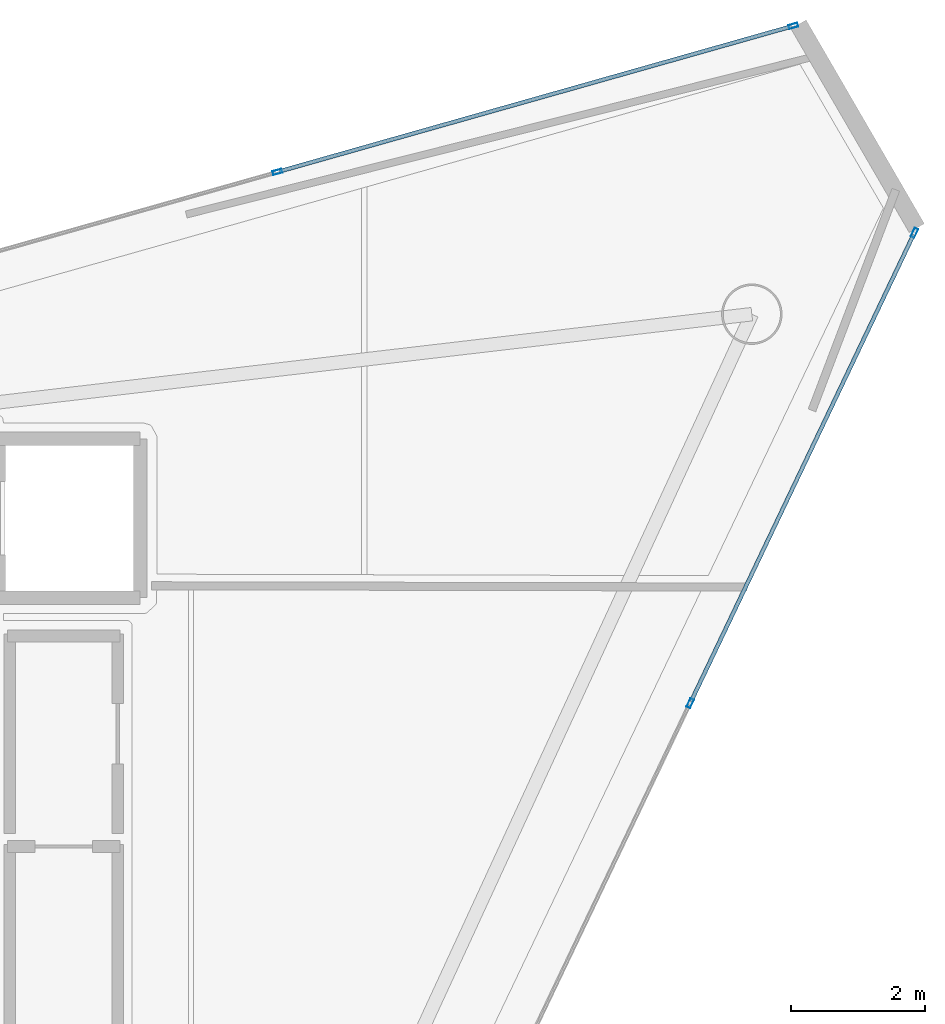
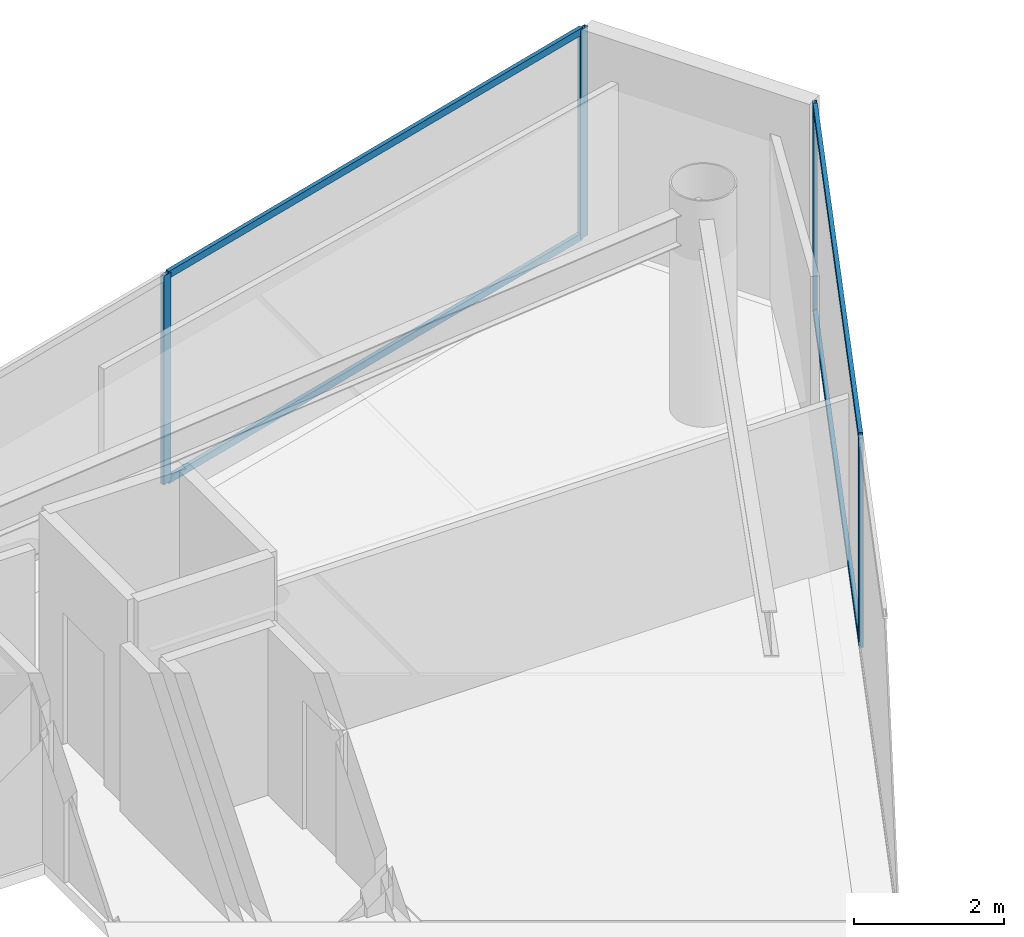
# One storey, part 15 of 20: 8 members, 2 elements without a shape of their own.
"""IFC4 building model written with IfcOpenShell, lengths in metres."""

from ifc_helpers import new_model, si_unit, direction, frame, origin, origin_2d, place, context, subcontext, project, spatial, hollow_rectangle, extrude, material, layer, layer_set, material_profile, profile_set, type_object, element, aggregate, save


model = new_model("IFC4")

# Units and contexts
model_context = context("Model", 3, precision=1e-05, world=origin(), true_north=direction((0.0, 1.0)))
body_context = subcontext(model_context, "Body", "Model", "MODEL_VIEW")
ifc_project = project(units=[si_unit("LENGTHUNIT", "METRE"), si_unit("AREAUNIT", "SQUARE_METRE"), si_unit("VOLUMEUNIT", "CUBIC_METRE"), si_unit("PLANEANGLEUNIT", "RADIAN"), si_unit("MASSUNIT", "GRAM", prefix="KILO")], contexts=[model_context])

# Site, building, storey
site_placement = place(None, origin())
site = spatial("IfcSite", under=ifc_project, at=site_placement, CompositionType="ELEMENT")
building_placement = place(site_placement, origin())
building = spatial("IfcBuilding", under=site, at=building_placement, Name="Qianvela Tower", CompositionType="ELEMENT")
storey_placement = place(building_placement, frame((0.0, 0.0, 317.60009765625)))
storey = spatial("IfcBuildingStorey", under=building, at=storey_placement, Name="L82", CompositionType="ELEMENT", Elevation=317.60009765625)

# Curtain wall, members
ifc_material_1 = material(Name="Anodised Architectural Aluminium and Low-E Glass", Category="aluminium")
ifc_layer = layer(ifc_material_1, 0.14990234375)
ifc_layer_set = layer_set([ifc_layer], Name="Anodised Architectural Aluminium and Low-E Glass")
curtain_wall_type = type_object("IfcCurtainWallType", Name="CW-COLIV-Z78", PredefinedType="USERDEFINED", material=ifc_layer_set)
curtain_wall_1_placement = place(storey_placement, origin())
curtain_wall_1 = element("IfcCurtainWall", 1, at=curtain_wall_1_placement, inside=storey, type_object=curtain_wall_type, Name="L82 CW-COLIV-Z78 Curtain Wall 02A", ObjectType="CURTAIN_WALL_SYSTEM", PredefinedType="USERDEFINED")
ifc_material_2 = material(Name="Anodised Architectural Aluminium 6063-T6", Category="aluminium")
ifc_material_profile_1 = material_profile(ifc_material_2, hollow_rectangle(XDim=0.06005859375, YDim=0.139892578125, WallThickness=0.00439453125, at=origin_2d()), Name="ALU-MULL-60x140")
ifc_profile_set_1 = profile_set([ifc_material_profile_1], Name="Anodised Architectural Aluminium 6063-T6")
member_type_1 = type_object("IfcMemberType", Name="CW-COLIV-Z78-MULL", PredefinedType="MULLION", material=ifc_profile_set_1)
member_1_placement = place(storey_placement, frame((53.265625, 41.423095703125, 0.0), z_axis=(0.0, 0.0, 1.0), x_axis=(0.272398078833, -0.9621846427, 0.0)))
member_1 = element("IfcMember", 2, at=member_1_placement, type_object=member_type_1, Name="CW-6 mullion 1", PredefinedType="MULLION", context=body_context, shape_type="SweptSolid", body=[
    extrude(hollow_rectangle(XDim=0.06005859375, YDim=0.139892578125, WallThickness=0.00439453125, at=origin_2d()), origin(), (0.0, 0.0, 1.0), 3.39990234375),
])
member_2_placement = place(storey_placement, frame((45.59228515625, 39.250732421875, 0.0), z_axis=(0.0, 0.0, 1.0), x_axis=(0.272398078833, -0.9621846427, 0.0)))
member_2 = element("IfcMember", 3, at=member_2_placement, type_object=member_type_1, Name="CW-6 mullion 2", PredefinedType="MULLION", context=body_context, shape_type="SweptSolid", body=[
    extrude(hollow_rectangle(XDim=0.06005859375, YDim=0.139892578125, WallThickness=0.00439453125, at=origin_2d()), origin(), (0.0, 0.0, 1.0), 3.39990234375),
])

curtain_wall_2_placement = place(storey_placement, origin())
curtain_wall_2 = element("IfcCurtainWall", 4, at=curtain_wall_2_placement, inside=storey, type_object=curtain_wall_type, Name="L82 CW-COLIV-Z78 Curtain Wall 06C", ObjectType="CURTAIN_WALL_SYSTEM", PredefinedType="USERDEFINED")
member_3_placement = place(storey_placement, frame((51.73193359375, 31.348876953125, 0.0), z_axis=(0.0, 0.0, 1.0), x_axis=(-0.902682118806, 0.430308020363, 0.0)))
member_3 = element("IfcMember", 5, at=member_3_placement, type_object=member_type_1, Name="CW-6 mullion 2", PredefinedType="MULLION", context=body_context, shape_type="SweptSolid", body=[
    extrude(hollow_rectangle(XDim=0.06005859375, YDim=0.139892578125, WallThickness=0.00439453125, at=origin_2d()), origin(), (0.0, 0.0, 1.0), 3.39990234375),
])
member_4_placement = place(storey_placement, frame((55.06640625, 38.34423828125, 0.0), z_axis=(0.0, 0.0, 1.0), x_axis=(-0.902682118806, 0.430308020363, 0.0)))
member_4 = element("IfcMember", 6, at=member_4_placement, type_object=member_type_1, Name="CW-6 mullion 3", PredefinedType="MULLION", context=body_context, shape_type="SweptSolid", body=[
    extrude(hollow_rectangle(XDim=0.06005859375, YDim=0.139892578125, WallThickness=0.00439453125, at=origin_2d()), origin(), (0.0, 0.0, 1.0), 3.39990234375),
])

# Member
ifc_material_3 = material(Name="Anodised Architectural Aluminium 6063-T6", Category="aluminium")
ifc_material_profile_2 = material_profile(ifc_material_3, hollow_rectangle(XDim=0.06005859375, YDim=0.114990234375, WallThickness=0.00390625, at=origin_2d()), Name="ALU-TRAN-60x115")
ifc_profile_set_2 = profile_set([ifc_material_profile_2], Name="Anodised Architectural Aluminium 6063-T6")
member_type_2 = type_object("IfcMemberType", Name="CW-COLIV-Z78-TRAN", PredefinedType="USERDEFINED", material=ifc_profile_set_2)
member_5_placement = place(storey_placement, frame((53.23681640625, 41.414794921875, 0.02978515625), z_axis=(-0.96218576095, -0.272394128837, 0.0), x_axis=(0.272394128837, -0.96218576095, 0.0)))
member_5 = element("IfcMember", 7, at=member_5_placement, type_object=member_type_2, Name="CW-6 transom 1.1", ObjectType="TRANSOM", PredefinedType="USERDEFINED", context=body_context, shape_type="SweptSolid", body=[
    extrude(hollow_rectangle(XDim=0.06005859375, YDim=0.114990234375, WallThickness=0.00390625, at=origin_2d()), origin(), (0.0, 0.0, 1.0), 7.9150390625),
])

member_6_placement = place(storey_placement, frame((53.23681640625, 41.414794921875, 3.369873046875), z_axis=(-0.96218576095, -0.272394128837, 0.0), x_axis=(0.272394128837, -0.96218576095, 0.0)))
member_6 = element("IfcMember", 8, at=member_6_placement, type_object=member_type_2, Name="CW-6 transom 1.2", ObjectType="TRANSOM", PredefinedType="USERDEFINED", context=body_context, shape_type="SweptSolid", body=[
    extrude(hollow_rectangle(XDim=0.06005859375, YDim=0.114990234375, WallThickness=0.00390625, at=origin_2d()), origin(), (0.0, 0.0, 1.0), 7.9150390625),
])

aggregate(curtain_wall_1, [member_1, member_2, member_5, member_6])

member_7_placement = place(storey_placement, frame((51.744873046875, 31.3759765625, 0.02978515625), z_axis=(0.430281100717, 0.902694950892, 0.0), x_axis=(-0.902694950892, 0.430281100717, 0.0)))
member_7 = element("IfcMember", 9, at=member_7_placement, type_object=member_type_2, Name="CW-6 transom 2.1", ObjectType="TRANSOM", PredefinedType="USERDEFINED", context=body_context, shape_type="SweptSolid", body=[
    extrude(hollow_rectangle(XDim=0.06005859375, YDim=0.114990234375, WallThickness=0.00390625, at=origin_2d()), origin(), (0.0, 0.0, 1.0), 7.689453125),
])

member_8_placement = place(storey_placement, frame((51.744873046875, 31.3759765625, 3.369873046875), z_axis=(0.430281100717, 0.902694950892, 0.0), x_axis=(-0.902694950892, 0.430281100717, 0.0)))
member_8 = element("IfcMember", 10, at=member_8_placement, type_object=member_type_2, Name="CW-6 transom 2.2", ObjectType="TRANSOM", PredefinedType="USERDEFINED", context=body_context, shape_type="SweptSolid", body=[
    extrude(hollow_rectangle(XDim=0.06005859375, YDim=0.114990234375, WallThickness=0.00390625, at=origin_2d()), origin(), (0.0, 0.0, 1.0), 7.689453125),
])

aggregate(curtain_wall_2, [member_3, member_4, member_7, member_8])

save(model, "model.ifc")
